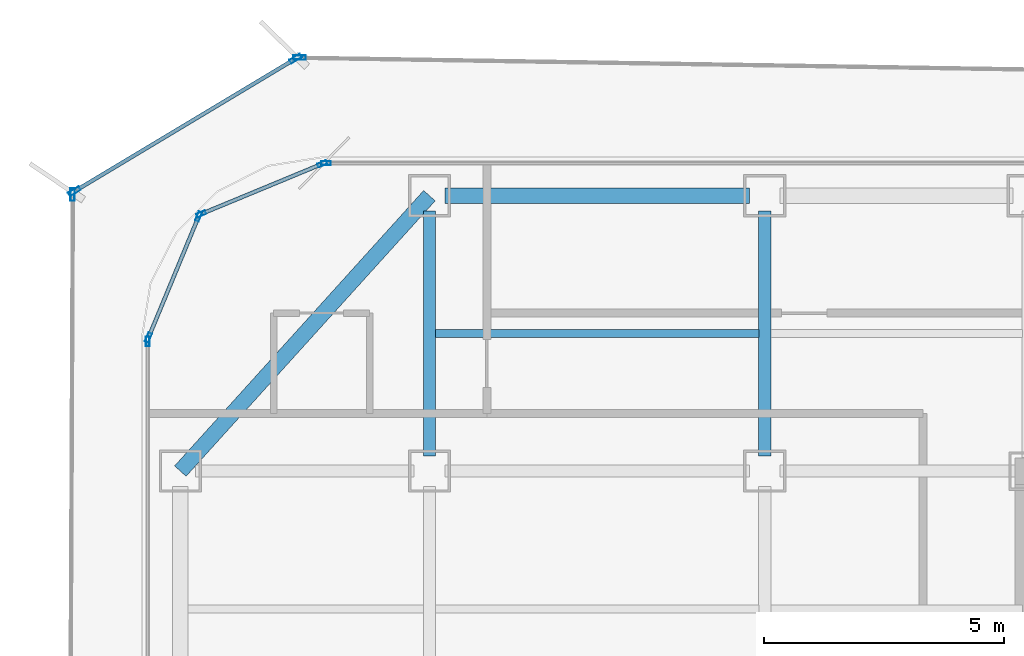
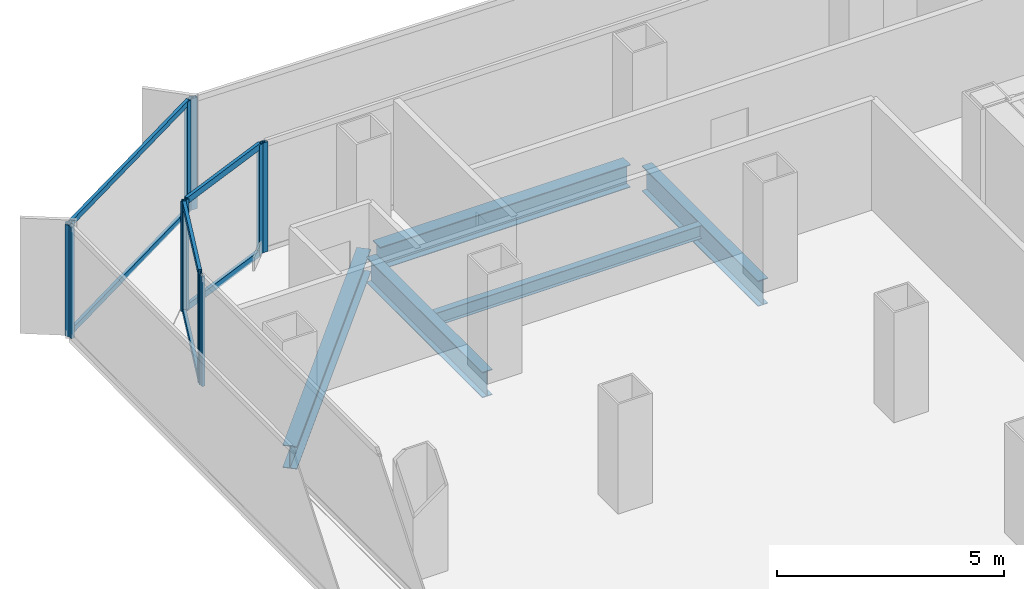
# One storey, part 10 of 21: 16 members, 5 beams, 7 elements without a shape of their own.
"""IFC4 building model written with IfcOpenShell, lengths in metres."""

from ifc_helpers import new_model, si_unit, direction, frame, origin, origin_2d, place, context, subcontext, project, spatial, hollow_rectangle, i_section, extrude, source, transform, mapped, material, layer, layer_set, material_profile, profile_set, type_object, element, aggregate, save


model = new_model("IFC4")

# Units and contexts
model_context = context("Model", 3, precision=1e-05, world=origin(), true_north=direction((0.0, 1.0)))
body_context = subcontext(model_context, "Body", "Model", "MODEL_VIEW")
ifc_project = project(units=[si_unit("LENGTHUNIT", "METRE"), si_unit("AREAUNIT", "SQUARE_METRE"), si_unit("VOLUMEUNIT", "CUBIC_METRE"), si_unit("PLANEANGLEUNIT", "RADIAN"), si_unit("MASSUNIT", "GRAM", prefix="KILO")], contexts=[model_context])

# Site, building, storey
site_placement = place(None, origin())
site = spatial("IfcSite", under=ifc_project, at=site_placement, CompositionType="ELEMENT")
building_placement = place(site_placement, origin())
building = spatial("IfcBuilding", under=site, at=building_placement, Name="Kolveth Station Tower", CompositionType="ELEMENT")
storey_placement = place(building_placement, frame((0.0, 0.0, 118.300048828125)))
storey = spatial("IfcBuildingStorey", under=building, at=storey_placement, Name="L32", CompositionType="ELEMENT", Elevation=118.300048828125)

# Beams
ifc_material_1 = material(Name="Steel S355", Category="steel")
ifc_material_profile_1 = material_profile(ifc_material_1, i_section(OverallWidth=0.323974609375, OverallDepth=0.611083984375, WebThickness=0.0126953125, FlangeThickness=0.01904296875, at=origin_2d()), Name="W610x155")
ifc_profile_set_1 = profile_set([ifc_material_profile_1], Name="Steel S355")
beam_type_1 = type_object("IfcBeamType", Name="Beam_SP2", PredefinedType="SPANDREL", material=ifc_profile_set_1)
shared_shape_1 = source(origin(), body_context, "Body", "SweptSolid", [
    extrude(i_section(OverallWidth=0.323974609375, OverallDepth=0.611083984375, WebThickness=0.0126953125, FlangeThickness=0.01904296875, at=origin_2d()), origin(), (0.0, 0.0, 1.0), 6.35986328125),
])
beam_1_placement = place(storey_placement, frame((6.320068359375, 34.5, -0.5556640625), z_axis=(1.0, 0.0, 0.0), x_axis=(0.0, 1.0, 0.0)))
element("IfcBeam", 1, at=beam_1_placement, inside=storey, type_object=beam_type_1, Name="L32 Perimeter Spandrel BM-L32-PN-1", PredefinedType="SPANDREL", context=body_context, shape_type="MappedRepresentation", body=[
    mapped(shared_shape_1, transform((0.0, 0.0, 0.0), x_axis=(1.0, 0.0, 0.0), y_axis=(0.0, 1.0, 0.0), z_axis=(0.0, 0.0, 1.0), scale=1.0)),
])
shared_shape_2 = source(origin(), body_context, "Body", "SweptSolid", [
    extrude(i_section(OverallWidth=0.323974609375, OverallDepth=0.611083984375, WebThickness=0.0126953125, FlangeThickness=0.01904296875, at=origin_2d()), origin(), (0.0, 0.0, 1.0), 7.75244140625),
])
beam_2_placement = place(storey_placement, frame((6.0, 34.5, -0.5556640625), z_axis=(-0.670740965555, -0.74169168603, 0.0), x_axis=(0.74169168603, -0.670740965555, 0.0)))
element("IfcBeam", 2, at=beam_2_placement, inside=storey, type_object=beam_type_1, Name="L32 Corner Edge Girder BM-L32-CNR-NW", PredefinedType="SPANDREL", context=body_context, shape_type="MappedRepresentation", body=[
    mapped(shared_shape_2, transform((0.0, 0.0, 0.0), x_axis=(1.0, 0.0, 0.0), y_axis=(0.0, 1.0, 0.0), z_axis=(0.0, 0.0, 1.0), scale=1.0)),
])
ifc_material_profile_2 = material_profile(ifc_material_1, i_section(OverallWidth=0.25390625, OverallDepth=0.68798828125, WebThickness=0.01318359375, FlangeThickness=0.02099609375, at=origin_2d()), Name="W690x152")
ifc_profile_set_2 = profile_set([ifc_material_profile_2], Name="Steel S355")
beam_type_2 = type_object("IfcBeamType", Name="Beam_B4", PredefinedType="BEAM", material=ifc_profile_set_2)
shared_shape_3 = source(origin(), body_context, "Body", "SweptSolid", [
    extrude(i_section(OverallWidth=0.25390625, OverallDepth=0.68798828125, WebThickness=0.01318359375, FlangeThickness=0.02099609375, at=origin_2d()), origin(), (0.0, 0.0, 1.0), 5.10986328125),
])
for number, where, z_axis, x_axis, name in (
    (3, (6.0, 29.070068359375, -0.593994140625), (0.0, 1.0, 0.0), (-1.0, 0.0, 0.0), "L32 Primary Girder BM-L32-GX60-6"),
    (4, (13.0, 29.070068359375, -0.593994140625), (0.0, 1.0, 0.0), (-1.0, 0.0, 0.0), "L32 Primary Girder BM-L32-GX130-6"),
):
    element("IfcBeam", number, at=place(storey_placement, frame(where, z_axis=z_axis, x_axis=x_axis)), inside=storey, type_object=beam_type_2, Name=name, PredefinedType="BEAM", context=body_context, shape_type="MappedRepresentation", body=[
        mapped(shared_shape_3, transform((0.0, 0.0, 0.0), x_axis=(1.0, 0.0, 0.0), y_axis=(0.0, 1.0, 0.0), z_axis=(0.0, 0.0, 1.0), scale=1.0)),
    ])
ifc_material_profile_3 = material_profile(ifc_material_1, i_section(OverallWidth=0.1708984375, OverallDepth=0.35205078125, WebThickness=0.0068359375, FlangeThickness=0.009765625, at=origin_2d()), Name="W360x44")
ifc_profile_set_3 = profile_set([ifc_material_profile_3], Name="Steel S355")
beam_type_3 = type_object("IfcBeamType", Name="Beam_J2", PredefinedType="JOIST", material=ifc_profile_set_3)
shared_shape_4 = source(origin(), body_context, "Body", "SweptSolid", [
    extrude(i_section(OverallWidth=0.1708984375, OverallDepth=0.35205078125, WebThickness=0.0068359375, FlangeThickness=0.009765625, at=origin_2d()), origin(), (0.0, 0.0, 1.0), 6.75),
])
beam_3_placement = place(storey_placement, frame((6.125, 31.625, -0.426025390625), z_axis=(1.0, 0.0, 0.0), x_axis=(0.0, 1.0, 0.0)))
element("IfcBeam", 5, at=beam_3_placement, inside=storey, type_object=beam_type_3, Name="L32 Secondary Joist JST-L32-2-6", PredefinedType="JOIST", context=body_context, shape_type="MappedRepresentation", body=[
    mapped(shared_shape_4, transform((0.0, 0.0, 0.0), x_axis=(1.0, 0.0, 0.0), y_axis=(0.0, 1.0, 0.0), z_axis=(0.0, 0.0, 1.0), scale=1.0)),
])

# Curtain wall, member
ifc_material_2 = material(Name="Aluminium 6063-T6 and low-E dark glass", Category="aluminium")
ifc_layer_1 = layer(ifc_material_2, 0.18994140625)
ifc_layer_set_1 = layer_set([ifc_layer_1], Name="Aluminium 6063-T6 and low-E dark glass")
curtain_wall_type_1 = type_object("IfcCurtainWallType", Name="CurtainWall_CW-Z2", PredefinedType="NOTDEFINED", material=ifc_layer_set_1)
curtain_wall_1_placement = place(storey_placement, origin())
curtain_wall_1 = element("IfcCurtainWall", 6, at=curtain_wall_1_placement, inside=storey, type_object=curtain_wall_type_1, Name="L32 Inner Thermal Curtain Wall 6", PredefinedType="NOTDEFINED")
ifc_material_3 = material(Name="Black anodized aluminium 6063-T6", Category="aluminium")
ifc_material_profile_4 = material_profile(ifc_material_3, hollow_rectangle(XDim=0.080078125, YDim=0.199951171875, WallThickness=0.0048828125, at=origin_2d()), Name="ALU-80x200x5")
ifc_profile_set_4 = profile_set([ifc_material_profile_4], Name="Black anodized aluminium 6063-T6")
member_type_1 = type_object("IfcMemberType", Name="Mullion_ML2", PredefinedType="MULLION", material=ifc_profile_set_4)
shared_shape_5 = source(origin(), body_context, "Body", "SweptSolid", [
    extrude(hollow_rectangle(XDim=0.080078125, YDim=0.199951171875, WallThickness=0.0048828125, at=origin_2d()), origin(), (0.0, 0.0, 1.0), 2.949951171875),
])
member_1_placement = place(storey_placement, frame((3.840087890625, 35.179931640625, 0.0), z_axis=(0.0, 0.0, 1.0), x_axis=(0.0, -1.0, 0.0)))
member_1 = element("IfcMember", 7, at=member_1_placement, type_object=member_type_1, Name="CW-Z2 mullion 3", PredefinedType="MULLION", context=body_context, shape_type="MappedRepresentation", body=[
    mapped(shared_shape_5, transform((0.0, 0.0, 0.0), x_axis=(1.0, 0.0, 0.0), y_axis=(0.0, 1.0, 0.0), z_axis=(0.0, 0.0, 1.0), scale=1.0)),
])
aggregate(curtain_wall_1, [member_1])

# Curtain wall, members
curtain_wall_2_placement = place(storey_placement, origin())
curtain_wall_2 = element("IfcCurtainWall", 8, at=curtain_wall_2_placement, inside=storey, type_object=curtain_wall_type_1, Name="L32 Inner Thermal Curtain Wall 7", PredefinedType="NOTDEFINED")
member_2_placement = place(storey_placement, frame((3.762939453125, 35.164794921875, 0.0), z_axis=(0.0, 0.0, 1.0), x_axis=(0.38266326998, -0.923887883787, 0.0)))
member_2 = element("IfcMember", 9, at=member_2_placement, type_object=member_type_1, Name="CW-Z2 mullion 1", PredefinedType="MULLION", context=body_context, shape_type="MappedRepresentation", body=[
    mapped(shared_shape_5, transform((0.0, 0.0, 0.0), x_axis=(1.0, 0.0, 0.0), y_axis=(0.0, 1.0, 0.0), z_axis=(0.0, 0.0, 1.0), scale=1.0)),
])
member_3_placement = place(storey_placement, frame((1.23486328125, 34.117431640625, 0.0), z_axis=(0.0, 0.0, 1.0), x_axis=(0.38266326998, -0.923887883787, 0.0)))
member_3 = element("IfcMember", 10, at=member_3_placement, type_object=member_type_1, Name="CW-Z2 mullion 2", PredefinedType="MULLION", context=body_context, shape_type="MappedRepresentation", body=[
    mapped(shared_shape_5, transform((0.0, 0.0, 0.0), x_axis=(1.0, 0.0, 0.0), y_axis=(0.0, 1.0, 0.0), z_axis=(0.0, 0.0, 1.0), scale=1.0)),
])

curtain_wall_3_placement = place(storey_placement, origin())
curtain_wall_3 = element("IfcCurtainWall", 11, at=curtain_wall_3_placement, inside=storey, type_object=curtain_wall_type_1, Name="L32 Inner Thermal Curtain Wall 8", PredefinedType="NOTDEFINED")
member_4_placement = place(storey_placement, frame((1.182373046875, 34.065185546875, 0.0), z_axis=(0.0, 0.0, 1.0), x_axis=(0.923887883787, -0.38266326998, 0.0)))
member_4 = element("IfcMember", 12, at=member_4_placement, type_object=member_type_1, Name="CW-Z2 mullion 1", PredefinedType="MULLION", context=body_context, shape_type="MappedRepresentation", body=[
    mapped(shared_shape_5, transform((0.0, 0.0, 0.0), x_axis=(1.0, 0.0, 0.0), y_axis=(0.0, 1.0, 0.0), z_axis=(0.0, 0.0, 1.0), scale=1.0)),
])
member_5_placement = place(storey_placement, frame((0.13525390625, 31.536865234375, 0.0), z_axis=(0.0, 0.0, 1.0), x_axis=(0.923887883787, -0.38266326998, 0.0)))
member_5 = element("IfcMember", 13, at=member_5_placement, type_object=member_type_1, Name="CW-Z2 mullion 2", PredefinedType="MULLION", context=body_context, shape_type="MappedRepresentation", body=[
    mapped(shared_shape_5, transform((0.0, 0.0, 0.0), x_axis=(1.0, 0.0, 0.0), y_axis=(0.0, 1.0, 0.0), z_axis=(0.0, 0.0, 1.0), scale=1.0)),
])

# Curtain wall, member
curtain_wall_4_placement = place(storey_placement, origin())
curtain_wall_4 = element("IfcCurtainWall", 14, at=curtain_wall_4_placement, inside=storey, type_object=curtain_wall_type_1, Name="L32 Inner Thermal Curtain Wall 9", PredefinedType="NOTDEFINED")
member_6_placement = place(storey_placement, frame((0.1201171875, 31.4599609375, 0.0), z_axis=(0.0, 0.0, 1.0), x_axis=(1.0, 0.0, 0.0)))
member_6 = element("IfcMember", 15, at=member_6_placement, type_object=member_type_1, Name="CW-Z2 mullion 1", PredefinedType="MULLION", context=body_context, shape_type="MappedRepresentation", body=[
    mapped(shared_shape_5, transform((0.0, 0.0, 0.0), x_axis=(1.0, 0.0, 0.0), y_axis=(0.0, 1.0, 0.0), z_axis=(0.0, 0.0, 1.0), scale=1.0)),
])
aggregate(curtain_wall_4, [member_6])

# Member
ifc_material_profile_5 = material_profile(ifc_material_3, hollow_rectangle(XDim=0.080078125, YDim=0.169921875, WallThickness=0.0048828125, at=origin_2d()), Name="ALU-80x170x5")
ifc_profile_set_5 = profile_set([ifc_material_profile_5], Name="Black anodized aluminium 6063-T6")
member_type_2 = type_object("IfcMemberType", Name="Transom_TR2", PredefinedType="USERDEFINED", material=ifc_profile_set_5)
shared_shape_6 = source(origin(), body_context, "Body", "SweptSolid", [
    extrude(hollow_rectangle(XDim=0.080078125, YDim=0.169921875, WallThickness=0.0048828125, at=origin_2d()), origin(), (0.0, 0.0, 1.0), 2.656494140625),
])
member_7_placement = place(storey_placement, frame((3.72607421875, 35.1494140625, 0.0400390625), z_axis=(-0.923882422403, -0.382676455475, 0.0), x_axis=(0.382676455475, -0.923882422403, 0.0)))
member_7 = element("IfcMember", 16, at=member_7_placement, type_object=member_type_2, Name="CW-Z2 transom 1.1", ObjectType="TRANSOM", PredefinedType="USERDEFINED", context=body_context, shape_type="MappedRepresentation", body=[
    mapped(shared_shape_6, transform((0.0, 0.0, 0.0), x_axis=(1.0, 0.0, 0.0), y_axis=(0.0, 1.0, 0.0), z_axis=(0.0, 0.0, 1.0), scale=1.0)),
])

member_8_placement = place(storey_placement, frame((3.72607421875, 35.1494140625, 2.909912109375), z_axis=(-0.923882422403, -0.382676455475, 0.0), x_axis=(0.382676455475, -0.923882422403, 0.0)))
member_8 = element("IfcMember", 17, at=member_8_placement, type_object=member_type_2, Name="CW-Z2 transom 1.2", ObjectType="TRANSOM", PredefinedType="USERDEFINED", context=body_context, shape_type="MappedRepresentation", body=[
    mapped(shared_shape_6, transform((0.0, 0.0, 0.0), x_axis=(1.0, 0.0, 0.0), y_axis=(0.0, 1.0, 0.0), z_axis=(0.0, 0.0, 1.0), scale=1.0)),
])

aggregate(curtain_wall_2, [member_2, member_3, member_7, member_8])

member_9_placement = place(storey_placement, frame((1.167236328125, 34.0283203125, 0.0400390625), z_axis=(-0.382676455475, -0.923882422403, 0.0), x_axis=(0.923882422403, -0.382676455475, 0.0)))
member_9 = element("IfcMember", 18, at=member_9_placement, type_object=member_type_2, Name="CW-Z2 transom 1.1", ObjectType="TRANSOM", PredefinedType="USERDEFINED", context=body_context, shape_type="MappedRepresentation", body=[
    mapped(shared_shape_6, transform((0.0, 0.0, 0.0), x_axis=(1.0, 0.0, 0.0), y_axis=(0.0, 1.0, 0.0), z_axis=(0.0, 0.0, 1.0), scale=1.0)),
])

member_10_placement = place(storey_placement, frame((1.167236328125, 34.0283203125, 2.909912109375), z_axis=(-0.382676455475, -0.923882422403, 0.0), x_axis=(0.923882422403, -0.382676455475, 0.0)))
member_10 = element("IfcMember", 19, at=member_10_placement, type_object=member_type_2, Name="CW-Z2 transom 1.2", ObjectType="TRANSOM", PredefinedType="USERDEFINED", context=body_context, shape_type="MappedRepresentation", body=[
    mapped(shared_shape_6, transform((0.0, 0.0, 0.0), x_axis=(1.0, 0.0, 0.0), y_axis=(0.0, 1.0, 0.0), z_axis=(0.0, 0.0, 1.0), scale=1.0)),
])

aggregate(curtain_wall_3, [member_4, member_5, member_9, member_10])

# Curtain wall, member
ifc_material_4 = material(Name="Black anodized aluminium 6063-T6 and dark solar glass", Category="aluminium")
ifc_layer_2 = layer(ifc_material_4, 0.159912109375)
ifc_layer_set_2 = layer_set([ifc_layer_2], Name="Black anodized aluminium 6063-T6 and dark solar glass")
curtain_wall_type_2 = type_object("IfcCurtainWallType", Name="OUTER SKIN CW-OS", PredefinedType="NOTDEFINED", material=ifc_layer_set_2)
curtain_wall_5_placement = place(storey_placement, origin())
curtain_wall_5 = element("IfcCurtainWall", 20, at=curtain_wall_5_placement, inside=storey, type_object=curtain_wall_type_2, Name="L32 Outer Ventilated Skin Curtain Wall 4", PredefinedType="NOTDEFINED")
ifc_material_profile_6 = material_profile(ifc_material_3, hollow_rectangle(XDim=0.090087890625, YDim=0.260009765625, WallThickness=0.0048828125, at=origin_2d()), Name="ALU-90x260x5")
ifc_profile_set_6 = profile_set([ifc_material_profile_6], Name="Black anodized aluminium 6063-T6")
member_type_3 = type_object("IfcMemberType", Name="FIN MULLION ML-OS", PredefinedType="MULLION", material=ifc_profile_set_6)
shared_shape_7 = source(origin(), body_context, "Body", "SweptSolid", [
    extrude(hollow_rectangle(XDim=0.090087890625, YDim=0.260009765625, WallThickness=0.0048828125, at=origin_2d()), origin(), (0.0, 0.0, 1.0), 2.989990234375),
])
member_11_placement = place(storey_placement, frame((3.28955078125, 37.3837890625, 0.0), z_axis=(0.0, 0.0, 1.0), x_axis=(-0.016076434391, -0.999870765778, 0.0)))
member_11 = element("IfcMember", 21, at=member_11_placement, type_object=member_type_3, Name="CW-OS mullion 2", PredefinedType="MULLION", context=body_context, shape_type="MappedRepresentation", body=[
    mapped(shared_shape_7, transform((0.0, 0.0, 0.0), x_axis=(1.0, 0.0, 0.0), y_axis=(0.0, 1.0, 0.0), z_axis=(0.0, 0.0, 1.0), scale=1.0)),
])
aggregate(curtain_wall_5, [member_11])

# Curtain wall, members
curtain_wall_6_placement = place(storey_placement, origin())
curtain_wall_6 = element("IfcCurtainWall", 22, at=curtain_wall_6_placement, inside=storey, type_object=curtain_wall_type_2, Name="L32 Outer Ventilated Skin Curtain Wall 5", PredefinedType="NOTDEFINED")
member_12_placement = place(storey_placement, frame((3.2060546875, 37.361328125, 0.0), z_axis=(0.0, 0.0, 1.0), x_axis=(0.5145494871, -0.85746068442, 0.0)))
member_12 = element("IfcMember", 23, at=member_12_placement, type_object=member_type_3, Name="CW-OS mullion 1", PredefinedType="MULLION", context=body_context, shape_type="MappedRepresentation", body=[
    mapped(shared_shape_7, transform((0.0, 0.0, 0.0), x_axis=(1.0, 0.0, 0.0), y_axis=(0.0, 1.0, 0.0), z_axis=(0.0, 0.0, 1.0), scale=1.0)),
])
member_13_placement = place(storey_placement, frame((-1.410400390625, 34.591064453125, 0.0), z_axis=(0.0, 0.0, 1.0), x_axis=(0.5145494871, -0.85746068442, 0.0)))
member_13 = element("IfcMember", 24, at=member_13_placement, type_object=member_type_3, Name="CW-OS mullion 2", PredefinedType="MULLION", context=body_context, shape_type="MappedRepresentation", body=[
    mapped(shared_shape_7, transform((0.0, 0.0, 0.0), x_axis=(1.0, 0.0, 0.0), y_axis=(0.0, 1.0, 0.0), z_axis=(0.0, 0.0, 1.0), scale=1.0)),
])

# Curtain wall, member
curtain_wall_7_placement = place(storey_placement, origin())
curtain_wall_7 = element("IfcCurtainWall", 25, at=curtain_wall_7_placement, inside=storey, type_object=curtain_wall_type_2, Name="L32 Outer Ventilated Skin Curtain Wall 6", PredefinedType="NOTDEFINED")
member_14_placement = place(storey_placement, frame((-1.44921875, 34.52294921875, 0.0), z_axis=(0.0, 0.0, 1.0), x_axis=(0.999989768706, -0.004523547673, 0.0)))
member_14 = element("IfcMember", 26, at=member_14_placement, type_object=member_type_3, Name="CW-OS mullion 1", PredefinedType="MULLION", context=body_context, shape_type="MappedRepresentation", body=[
    mapped(shared_shape_7, transform((0.0, 0.0, 0.0), x_axis=(1.0, 0.0, 0.0), y_axis=(0.0, 1.0, 0.0), z_axis=(0.0, 0.0, 1.0), scale=1.0)),
])
aggregate(curtain_wall_7, [member_14])

# Member
ifc_material_profile_7 = material_profile(ifc_material_3, hollow_rectangle(XDim=0.080078125, YDim=0.14990234375, WallThickness=0.0048828125, at=origin_2d()), Name="ALU-80x150x5")
ifc_profile_set_7 = profile_set([ifc_material_profile_7], Name="Black anodized aluminium 6063-T6")
member_type_4 = type_object("IfcMemberType", Name="Transom_TR-OS", PredefinedType="USERDEFINED", material=ifc_profile_set_7)
shared_shape_8 = source(origin(), body_context, "Body", "SweptSolid", [
    extrude(hollow_rectangle(XDim=0.080078125, YDim=0.14990234375, WallThickness=0.0048828125, at=origin_2d()), origin(), (0.0, 0.0, 1.0), 5.2939453125),
])
member_15_placement = place(storey_placement, frame((3.16748046875, 37.338134765625, 0.0400390625), z_axis=(-0.857468509434, -0.514536447037, 0.0), x_axis=(0.514536447037, -0.857468509434, 0.0)))
member_15 = element("IfcMember", 27, at=member_15_placement, type_object=member_type_4, Name="CW-OS transom 1.1", ObjectType="TRANSOM", PredefinedType="USERDEFINED", context=body_context, shape_type="MappedRepresentation", body=[
    mapped(shared_shape_8, transform((0.0, 0.0, 0.0), x_axis=(1.0, 0.0, 0.0), y_axis=(0.0, 1.0, 0.0), z_axis=(0.0, 0.0, 1.0), scale=1.0)),
])

member_16_placement = place(storey_placement, frame((3.16748046875, 37.338134765625, 2.949951171875), z_axis=(-0.857468509434, -0.514536447037, 0.0), x_axis=(0.514536447037, -0.857468509434, 0.0)))
member_16 = element("IfcMember", 28, at=member_16_placement, type_object=member_type_4, Name="CW-OS transom 1.2", ObjectType="TRANSOM", PredefinedType="USERDEFINED", context=body_context, shape_type="MappedRepresentation", body=[
    mapped(shared_shape_8, transform((0.0, 0.0, 0.0), x_axis=(1.0, 0.0, 0.0), y_axis=(0.0, 1.0, 0.0), z_axis=(0.0, 0.0, 1.0), scale=1.0)),
])

aggregate(curtain_wall_6, [member_12, member_13, member_15, member_16])

save(model, "model.ifc")
